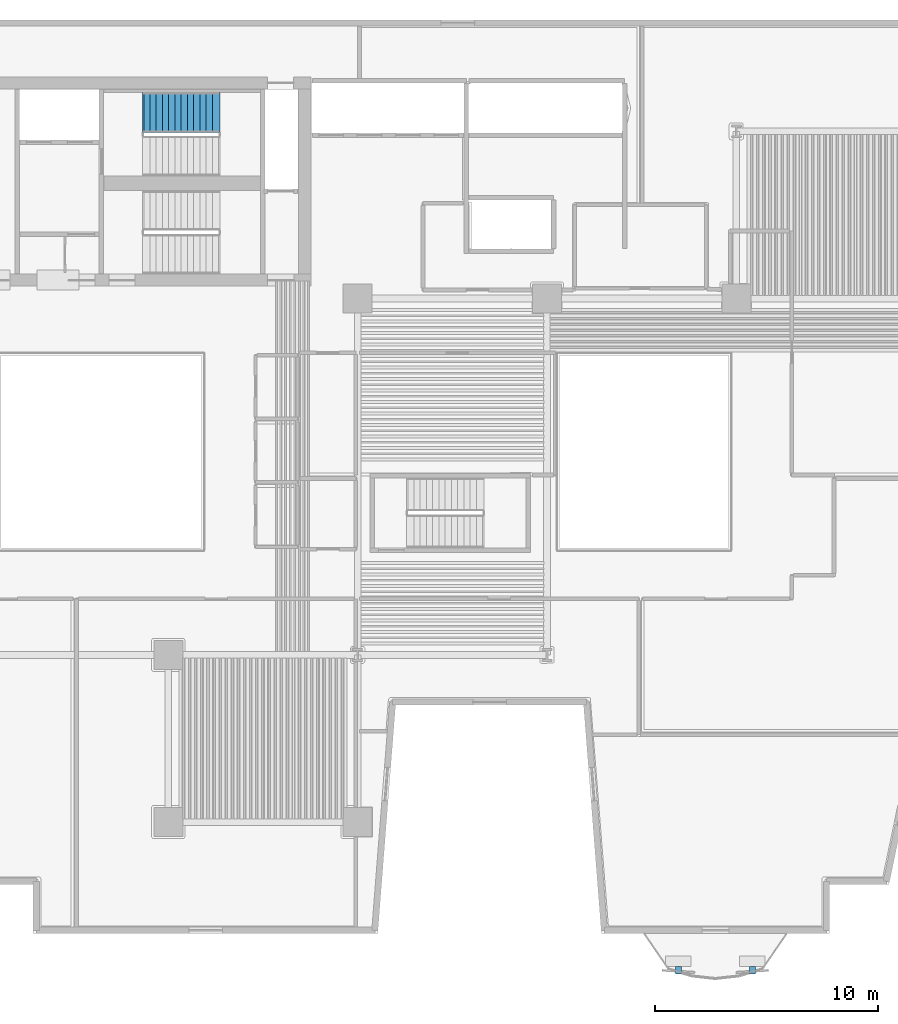
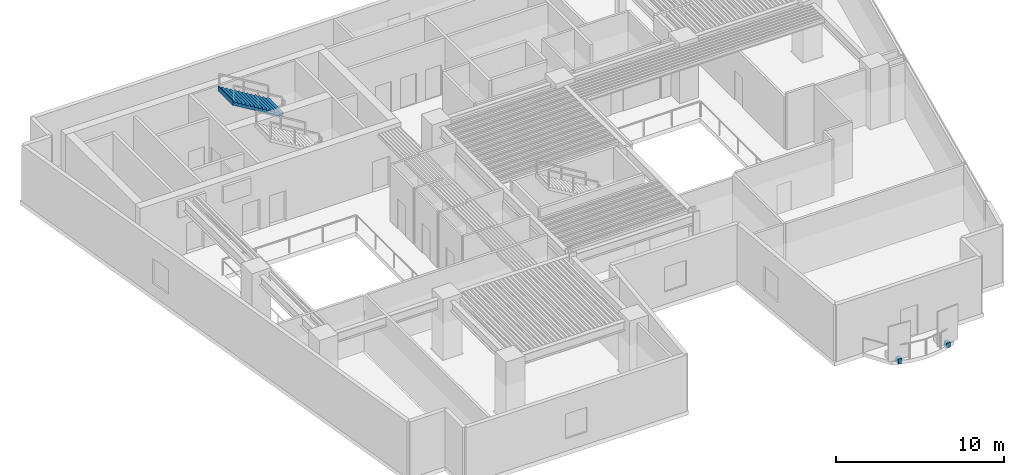
# One storey, part 7 of 11: 2 discrete accessories, 1 stair flight, 1 element without a shape of its own.
"""IFC4 building model written with IfcOpenShell, lengths in metres."""

from ifc_helpers import new_model, si_unit, direction, frame, origin, origin_2d, place, context, subcontext, project, spatial, polyline, rectangle, outline, extrude, material, type_object, element, aggregate, save


model = new_model("IFC4")

# Units and contexts
model_context = context("Model", 3, precision=1e-05, world=origin(), true_north=direction((0.0, 1.0)))
body_context = subcontext(model_context, "Body", "Model", "MODEL_VIEW")
ifc_project = project(units=[si_unit("LENGTHUNIT", "METRE"), si_unit("AREAUNIT", "SQUARE_METRE"), si_unit("VOLUMEUNIT", "CUBIC_METRE"), si_unit("PLANEANGLEUNIT", "RADIAN"), si_unit("MASSUNIT", "GRAM", prefix="KILO")], contexts=[model_context])

# Site, building, storey
site_placement = place(None, origin())
site = spatial("IfcSite", under=ifc_project, at=site_placement, CompositionType="ELEMENT")
building_placement = place(site_placement, origin())
building = spatial("IfcBuilding", under=site, at=building_placement, Name="Caeloran Harvest Quay", CompositionType="ELEMENT")
storey_placement = place(building_placement, frame((0.0, 0.0, 40.199951171875)))
storey = spatial("IfcBuildingStorey", under=building, at=storey_placement, Name="L09", CompositionType="ELEMENT", Elevation=40.199951171875)

# Stair, stair flight
ifc_material_1 = material(Name="Concrete C50/60", Category="concrete")
stair_type = type_object("IfcStairType", Name="STAIR-STC-180", PredefinedType="HALF_TURN_STAIR", material=ifc_material_1)
stair_placement = place(storey_placement, origin())
stair = element("IfcStair", 1, at=stair_placement, inside=storey, type_object=stair_type, Name="L09 Core Pressurized Exit Stair ST-C1", PredefinedType="HALF_TURN_STAIR")
stair_flight_type = type_object("IfcStairFlightType", Name="FLIGHT-STC-180", PredefinedType="STRAIGHT", material=ifc_material_1)
stair_flight_placement = place(storey_placement, frame((19.260009765625, 39.35009765625, 2.199951171875), z_axis=(0.0, 0.0, 1.0), x_axis=(-1.0, 0.0, 0.0)))
stair_flight = element("IfcStairFlight", 2, at=stair_flight_placement, type_object=stair_flight_type, Name="ST-C1 flight 2", NumberOfRisers=13, NumberOfTreads=12, PredefinedType="STRAIGHT", RiserHeight=0.169230769, TreadLength=0.28, context=body_context, shape_type="SweptSolid", body=[
    extrude(outline(polyline([(-0.054931640625, -0.044921875), (-0.054931640625, -0.031494140625), (-0.054931640625, -0.018310546875), (-0.054931640625, -0.0048828125), (-0.054931640625, 0.008544921875), (-0.054931640625, 0.02197265625), (-0.054931640625, 0.035400390625), (-0.054931640625, 0.048828125), (-0.054931640625, 0.06201171875), (-0.054931640625, 0.075439453125), (-0.054931640625, 0.0888671875), (-0.054931640625, 0.102294921875), (-0.054931640625, 0.11572265625), (-0.054931640625, 0.129150390625), (-0.054931640625, 0.142333984375), (-0.054931640625, 0.15576171875), (-0.054931640625, 0.169189453125), (0.280029296875, 0.169189453125), (0.280029296875, 0.33837890625), (0.56005859375, 0.33837890625), (0.56005859375, 0.5078125), (0.840087890625, 0.5078125), (0.840087890625, 0.677001953125), (1.1201171875, 0.677001953125), (1.1201171875, 0.84619140625), (1.39990234375, 0.84619140625), (1.39990234375, 1.015380859375), (1.679931640625, 1.015380859375), (1.679931640625, 1.1845703125), (1.9599609375, 1.1845703125), (1.9599609375, 1.353759765625), (2.239990234375, 1.353759765625), (2.239990234375, 1.523193359375), (2.52001953125, 1.523193359375), (2.52001953125, 1.6923828125), (2.800048828125, 1.6923828125), (2.800048828125, 1.861572265625), (3.080078125, 1.861572265625), (3.080078125, 2.03076171875), (3.360107421875, 2.03076171875), (3.360107421875, 2.199951171875), (3.4150390625, 2.199951171875), (3.4150390625, 2.178466796875), (3.4150390625, 2.156982421875), (3.4150390625, 2.135498046875), (3.4150390625, 2.114013671875), (3.4150390625, 2.09228515625), (3.4150390625, 2.07080078125), (3.4150390625, 2.04931640625), (3.4150390625, 2.02783203125), (3.4150390625, 2.00634765625), (3.4150390625, 1.98486328125), (3.4150390625, 1.963134765625), (3.4150390625, 1.941650390625), (3.4150390625, 1.920166015625), (3.4150390625, 1.898681640625), (3.4150390625, 1.877197265625), (3.4150390625, 1.855712890625), (3.360107421875, 1.855712890625), (0.21533203125, -0.044921875), (-0.054931640625, -0.044921875)])), frame((0.0, 0.89990234375, 0.0), z_axis=(0.0, -1.0, 0.0), x_axis=(1.0, 0.0, 0.0)), (0.0, 0.0, 1.0), 1.800048828125),
])
aggregate(stair, [stair_flight])

# Discrete accessories
ifc_material_2 = material(Name="Stainless Steel Grade 316L", Category="steel")
discrete_accessory_type = type_object("IfcDiscreteAccessoryType", Name="BRACKET-SCREEN-SS", PredefinedType="BRACKET", material=ifc_material_2)
for number, where, z_axis, x_axis, name in (
    (3, (43.218505859375, 0.855224609375, -0.22021484375), (0.0, 0.0, 1.0), (1.0, 0.0, 0.0), "L09 Balcony Screen Support Bracket 1"),
    (4, (39.8984375, 0.855224609375, -0.22021484375), (0.0, 0.0, 1.0), (1.0, 0.0, 0.0), "L09 Balcony Screen Support Bracket 2"),
):
    element("IfcDiscreteAccessory", number, at=place(storey_placement, frame(where, z_axis=z_axis, x_axis=x_axis)), inside=storey, type_object=discrete_accessory_type, Name=name, PredefinedType="BRACKET", context=body_context, shape_type="SweptSolid", body=[
        extrude(rectangle(XDim=0.260009765625, YDim=0.340087890625, at=origin_2d()), origin(), (0.0, 0.0, 1.0), 0.360107421875),
    ])

save(model, "model.ifc")
